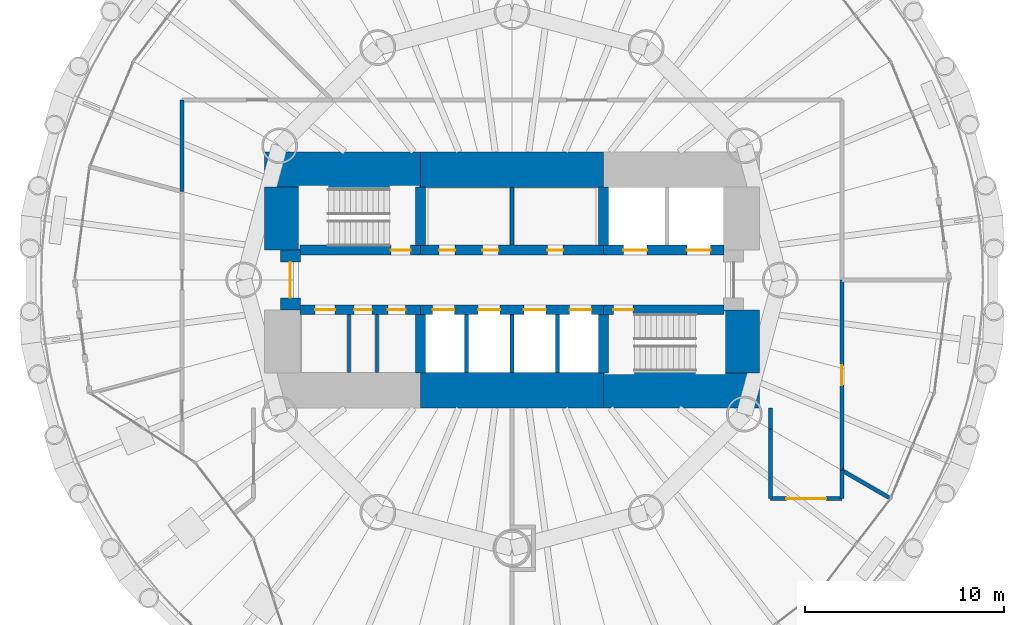
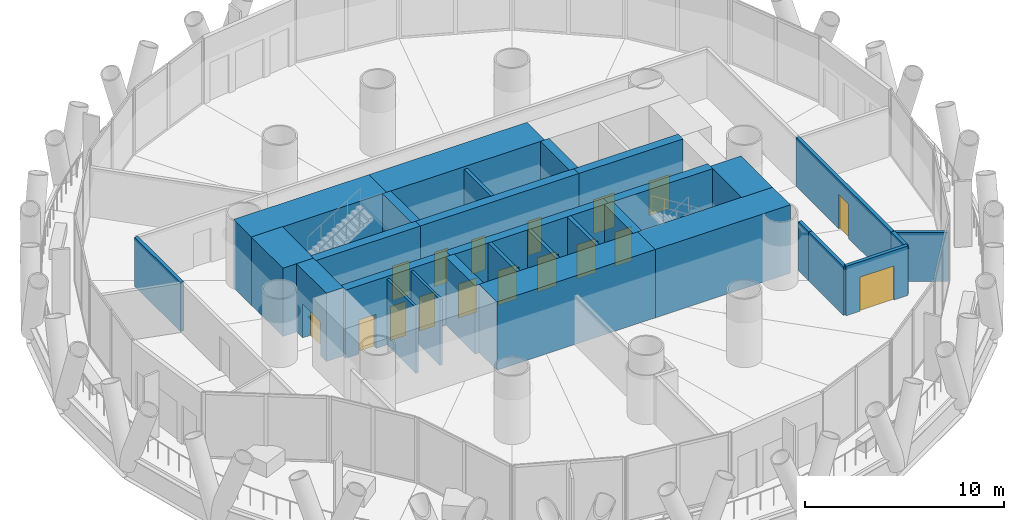
# One storey, part 9 of 14: 30 walls, 17 doors, 17 openings.
"""IFC4 building model written with IfcOpenShell, lengths in metres."""

from ifc_helpers import new_model, si_unit, direction, frame, frame_2d, origin, place, context, subcontext, project, spatial, rectangle, extrude, material, layer, layer_set, type_object, element, fill, save


model = new_model("IFC4")

# Units and contexts
model_context = context("Model", 3, precision=1e-05, world=origin(), true_north=direction((0.0, 1.0)))
body_context = subcontext(model_context, "Body", "Model", "MODEL_VIEW")
ifc_project = project(units=[si_unit("LENGTHUNIT", "METRE"), si_unit("AREAUNIT", "SQUARE_METRE"), si_unit("VOLUMEUNIT", "CUBIC_METRE"), si_unit("PLANEANGLEUNIT", "RADIAN"), si_unit("MASSUNIT", "GRAM", prefix="KILO")], contexts=[model_context])

# Site, building, storey
site_placement = place(None, origin())
site = spatial("IfcSite", under=ifc_project, at=site_placement, CompositionType="ELEMENT")
building_placement = place(site_placement, origin())
building = spatial("IfcBuilding", under=site, at=building_placement, Name="Qaws Media Tower", CompositionType="ELEMENT")
storey_placement = place(building_placement, frame((0.0, 0.0, 185.60009765625)))
storey = spatial("IfcBuildingStorey", under=building, at=storey_placement, Name="L42", CompositionType="ELEMENT", Elevation=185.60009765625)

# Wall, opening, door
ifc_material_1 = material(Name="Concrete C60/75", Category="concrete")
ifc_layer_1 = layer(ifc_material_1, 0.5)
ifc_layer_set_1 = layer_set([ifc_layer_1], Name="Core inner wall 500")
wall_type_1 = type_object("IfcWallType", Name="Core inner wall 500", PredefinedType="SHEAR", material=ifc_layer_set_1)
wall_1_placement = place(storey_placement, frame((49.330078125, 51.5, 0.0), z_axis=(0.0, 0.0, 1.0), x_axis=(1.0, 0.0, 0.0)))
wall_1 = element("IfcWall", 1, at=wall_1_placement, inside=storey, type_object=wall_type_1, Name="W339 SW12 core wall SPNW L42", PredefinedType="SHEAR", context=body_context, shape_type="SweptSolid", body=[
    extrude(rectangle(XDim=6.06982421875, YDim=0.5, at=frame_2d((3.034912109375, 0.0))), origin(), (0.0, 0.0, 1.0), 4.199951171875),
])
opening_1_placement = place(wall_1_placement, frame((4.570068359375, 0.0, 0.0)))
opening_1 = element("IfcOpeningElement", 2, at=opening_1_placement, cuts=wall_1, Name="Opening D1", PredefinedType="OPENING", context=body_context, shape_type="SweptSolid", body=[
    extrude(rectangle(XDim=1.0, YDim=2.10009765625, at=frame_2d((0.5, 1.050048828125))), frame((0.0, 0.260009765625, 0.0), z_axis=(0.0, -1.0, 0.0), x_axis=(1.0, 0.0, 0.0)), (0.0, 0.0, 1.0), 0.52001953125),
])
ifc_material_2 = material(Name="Steel, fire rated", Category="steel")
door_type_1 = type_object("IfcDoorType", Name="Stair door 1000 FD120", OperationType="SINGLE_SWING_LEFT", PredefinedType="DOOR", material=ifc_material_2)
door_1_placement = place(opening_1_placement, origin())
door_1 = element("IfcDoor", 3, at=door_1_placement, inside=storey, type_object=door_type_1, Name="D1 stair S1 door L42 in wall W339", OperationType="SINGLE_SWING_LEFT", OverallHeight=2.10009765625, OverallWidth=1.0, PredefinedType="DOOR", context=body_context, shape_type="SweptSolid", body=[
    extrude(rectangle(XDim=1.0, YDim=2.10009765625, at=frame_2d((0.5, 1.050048828125))), frame((0.0, 0.02490234375, 0.0), z_axis=(0.0, -1.0, 0.0), x_axis=(1.0, 0.0, 0.0)), (0.0, 0.0, 1.0), 0.050048828125),
])
fill(opening_1, door_1)

# Wall, openings, doors
wall_2_placement = place(storey_placement, frame((55.39990234375, 51.5, 0.0), z_axis=(0.0, 0.0, 1.0), x_axis=(1.0, 0.0, 0.0)))
wall_2 = element("IfcWall", 4, at=wall_2_placement, inside=storey, type_object=wall_type_1, Name="W332 SW12 core wall SPN L42", PredefinedType="SHEAR", context=body_context, shape_type="SweptSolid", body=[
    extrude(rectangle(XDim=9.2001953125, YDim=0.5, at=frame_2d((4.60009765625, 0.0))), origin(), (0.0, 0.0, 1.0), 4.199951171875),
])
opening_2_placement = place(wall_2_placement, frame((0.9375, 0.0, 0.0)))
opening_2 = element("IfcOpeningElement", 5, at=opening_2_placement, cuts=wall_2, Name="Opening D23", PredefinedType="OPENING", context=body_context, shape_type="SweptSolid", body=[
    extrude(rectangle(XDim=0.800048828125, YDim=2.10009765625, at=frame_2d((0.39990234375, 1.050048828125))), frame((0.0, 0.260009765625, 0.0), z_axis=(0.0, -1.0, 0.0), x_axis=(1.0, 0.0, 0.0)), (0.0, 0.0, 1.0), 0.52001953125),
])
opening_3_placement = place(wall_2_placement, frame((3.112548828125, 0.0, 0.0)))
opening_3 = element("IfcOpeningElement", 6, at=opening_3_placement, cuts=wall_2, Name="Opening D23", PredefinedType="OPENING", context=body_context, shape_type="SweptSolid", body=[
    extrude(rectangle(XDim=0.800048828125, YDim=2.10009765625, at=frame_2d((0.39990234375, 1.050048828125))), frame((0.0, 0.260009765625, 0.0), z_axis=(0.0, -1.0, 0.0), x_axis=(1.0, 0.0, 0.0)), (0.0, 0.0, 1.0), 0.52001953125),
])
opening_4_placement = place(wall_2_placement, frame((6.375, 0.0, 0.0)))
opening_4 = element("IfcOpeningElement", 7, at=opening_4_placement, cuts=wall_2, Name="Opening D23", PredefinedType="OPENING", context=body_context, shape_type="SweptSolid", body=[
    extrude(rectangle(XDim=0.800048828125, YDim=2.10009765625, at=frame_2d((0.39990234375, 1.050048828125))), frame((0.0, 0.260009765625, 0.0), z_axis=(0.0, -1.0, 0.0), x_axis=(1.0, 0.0, 0.0)), (0.0, 0.0, 1.0), 0.52001953125),
])
ifc_material_3 = material(Name="Steel, fire rated", Category="steel")
door_type_2 = type_object("IfcDoorType", Name="Core room door 800x2100", OperationType="SINGLE_SWING_LEFT", PredefinedType="DOOR", material=ifc_material_3)
door_2_placement = place(opening_2_placement, origin())
door_2 = element("IfcDoor", 8, at=door_2_placement, inside=storey, type_object=door_type_2, Name="D23 Ladies toilets door L42 1 in wall W332", OperationType="SINGLE_SWING_LEFT", OverallHeight=2.10009765625, OverallWidth=0.800048828125, PredefinedType="DOOR", context=body_context, shape_type="SweptSolid", body=[
    extrude(rectangle(XDim=0.800048828125, YDim=2.10009765625, at=frame_2d((0.39990234375, 1.050048828125))), frame((0.0, 0.02490234375, 0.0), z_axis=(0.0, -1.0, 0.0), x_axis=(1.0, 0.0, 0.0)), (0.0, 0.0, 1.0), 0.050048828125),
])
fill(opening_2, door_2)
door_3_placement = place(opening_3_placement, origin())
door_3 = element("IfcDoor", 9, at=door_3_placement, inside=storey, type_object=door_type_2, Name="D23 Ladies toilets door L42 2 in wall W332", OperationType="SINGLE_SWING_LEFT", OverallHeight=2.10009765625, OverallWidth=0.800048828125, PredefinedType="DOOR", context=body_context, shape_type="SweptSolid", body=[
    extrude(rectangle(XDim=0.800048828125, YDim=2.10009765625, at=frame_2d((0.39990234375, 1.050048828125))), frame((0.0, 0.02490234375, 0.0), z_axis=(0.0, -1.0, 0.0), x_axis=(1.0, 0.0, 0.0)), (0.0, 0.0, 1.0), 0.050048828125),
])
fill(opening_3, door_3)
door_4_placement = place(opening_4_placement, origin())
door_4 = element("IfcDoor", 10, at=door_4_placement, inside=storey, type_object=door_type_2, Name="D23 Gents toilets door L42 in wall W332", OperationType="SINGLE_SWING_LEFT", OverallHeight=2.10009765625, OverallWidth=0.800048828125, PredefinedType="DOOR", context=body_context, shape_type="SweptSolid", body=[
    extrude(rectangle(XDim=0.800048828125, YDim=2.10009765625, at=frame_2d((0.39990234375, 1.050048828125))), frame((0.0, 0.02490234375, 0.0), z_axis=(0.0, -1.0, 0.0), x_axis=(1.0, 0.0, 0.0)), (0.0, 0.0, 1.0), 0.050048828125),
])
fill(opening_4, door_4)

wall_3_placement = place(storey_placement, frame((64.60009765625, 51.5, 0.0), z_axis=(0.0, 0.0, 1.0), x_axis=(1.0, 0.0, 0.0)))
wall_3 = element("IfcWall", 11, at=wall_3_placement, inside=storey, type_object=wall_type_1, Name="W344 SW12 core wall SPNE L42", PredefinedType="SHEAR", context=body_context, shape_type="SweptSolid", body=[
    extrude(rectangle(XDim=6.06982421875, YDim=0.5, at=frame_2d((3.034912109375, 0.0))), origin(), (0.0, 0.0, 1.0), 4.199951171875),
])
opening_5_placement = place(wall_3_placement, frame((1.0, 0.0, 0.0)))
opening_5 = element("IfcOpeningElement", 12, at=opening_5_placement, cuts=wall_3, Name="Opening LD2", PredefinedType="OPENING", context=body_context, shape_type="SweptSolid", body=[
    extrude(rectangle(XDim=1.199951171875, YDim=2.10009765625, at=frame_2d((0.60009765625, 1.050048828125))), frame((0.0, 0.260009765625, 0.0), z_axis=(0.0, -1.0, 0.0), x_axis=(1.0, 0.0, 0.0)), (0.0, 0.0, 1.0), 0.52001953125),
])
opening_6_placement = place(wall_3_placement, frame((4.199951171875, 0.0, 0.0)))
opening_6 = element("IfcOpeningElement", 13, at=opening_6_placement, cuts=wall_3, Name="Opening LD2", PredefinedType="OPENING", context=body_context, shape_type="SweptSolid", body=[
    extrude(rectangle(XDim=1.199951171875, YDim=2.10009765625, at=frame_2d((0.60009765625, 1.050048828125))), frame((0.0, 0.260009765625, 0.0), z_axis=(0.0, -1.0, 0.0), x_axis=(1.0, 0.0, 0.0)), (0.0, 0.0, 1.0), 0.52001953125),
])
ifc_material_4 = material(Name="Steel, fire rated", Category="steel")
door_type_3 = type_object("IfcDoorType", Name="Lift landing door 1200", OperationType="SLIDING_TO_LEFT", PredefinedType="DOOR", material=ifc_material_4)
door_5_placement = place(opening_5_placement, origin())
door_5 = element("IfcDoor", 14, at=door_5_placement, inside=storey, type_object=door_type_3, Name="FL1 landing door L42 in wall W344", OperationType="SLIDING_TO_LEFT", OverallHeight=2.10009765625, OverallWidth=1.199951171875, PredefinedType="DOOR", context=body_context, shape_type="SweptSolid", body=[
    extrude(rectangle(XDim=1.199951171875, YDim=2.10009765625, at=frame_2d((0.60009765625, 1.050048828125))), frame((0.0, 0.02490234375, 0.0), z_axis=(0.0, -1.0, 0.0), x_axis=(1.0, 0.0, 0.0)), (0.0, 0.0, 1.0), 0.050048828125),
])
fill(opening_5, door_5)
door_6_placement = place(opening_6_placement, origin())
door_6 = element("IfcDoor", 15, at=door_6_placement, inside=storey, type_object=door_type_3, Name="FL2 landing door L42 in wall W344", OperationType="SLIDING_TO_LEFT", OverallHeight=2.10009765625, OverallWidth=1.199951171875, PredefinedType="DOOR", context=body_context, shape_type="SweptSolid", body=[
    extrude(rectangle(XDim=1.199951171875, YDim=2.10009765625, at=frame_2d((0.60009765625, 1.050048828125))), frame((0.0, 0.02490234375, 0.0), z_axis=(0.0, -1.0, 0.0), x_axis=(1.0, 0.0, 0.0)), (0.0, 0.0, 1.0), 0.050048828125),
])
fill(opening_6, door_6)

wall_4_placement = place(storey_placement, frame((49.330078125, 48.5, 0.0), z_axis=(0.0, 0.0, 1.0), x_axis=(1.0, 0.0, 0.0)))
wall_4 = element("IfcWall", 16, at=wall_4_placement, inside=storey, type_object=wall_type_1, Name="W338 SW12 core wall SPSW L42", PredefinedType="SHEAR", context=body_context, shape_type="SweptSolid", body=[
    extrude(rectangle(XDim=6.06982421875, YDim=0.5, at=frame_2d((3.034912109375, 0.0))), origin(), (0.0, 0.0, 1.0), 4.199951171875),
])
opening_7_placement = place(wall_4_placement, frame((0.77001953125, 0.0, 0.0)))
opening_7 = element("IfcOpeningElement", 17, at=opening_7_placement, cuts=wall_4, Name="Opening D4", PredefinedType="OPENING", context=body_context, shape_type="SweptSolid", body=[
    extrude(rectangle(XDim=1.0, YDim=2.10009765625, at=frame_2d((0.5, 1.050048828125))), frame((0.0, 0.260009765625, 0.0), z_axis=(0.0, -1.0, 0.0), x_axis=(1.0, 0.0, 0.0)), (0.0, 0.0, 1.0), 0.52001953125),
])
opening_8_placement = place(wall_4_placement, frame((2.719970703125, 0.0, 0.0)))
opening_8 = element("IfcOpeningElement", 18, at=opening_8_placement, cuts=wall_4, Name="Opening D25", PredefinedType="OPENING", context=body_context, shape_type="SweptSolid", body=[
    extrude(rectangle(XDim=0.89990234375, YDim=2.10009765625, at=frame_2d((0.449951171875, 1.050048828125))), frame((0.0, 0.260009765625, 0.0), z_axis=(0.0, -1.0, 0.0), x_axis=(1.0, 0.0, 0.0)), (0.0, 0.0, 1.0), 0.52001953125),
])
opening_9_placement = place(wall_4_placement, frame((4.419921875, 0.0, 0.0)))
opening_9 = element("IfcOpeningElement", 19, at=opening_9_placement, cuts=wall_4, Name="Opening D25", PredefinedType="OPENING", context=body_context, shape_type="SweptSolid", body=[
    extrude(rectangle(XDim=0.89990234375, YDim=2.10009765625, at=frame_2d((0.449951171875, 1.050048828125))), frame((0.0, 0.260009765625, 0.0), z_axis=(0.0, -1.0, 0.0), x_axis=(1.0, 0.0, 0.0)), (0.0, 0.0, 1.0), 0.52001953125),
])
ifc_material_5 = material(Name="Timber veneered", Category="wood")
door_type_4 = type_object("IfcDoorType", Name="Accessible WC door 1000", OperationType="SLIDING_TO_LEFT", PredefinedType="DOOR", material=ifc_material_5)
door_7_placement = place(opening_7_placement, origin())
door_7 = element("IfcDoor", 20, at=door_7_placement, inside=storey, type_object=door_type_4, Name="D4 toilet door 1 L42 in wall W338", OperationType="SLIDING_TO_LEFT", OverallHeight=2.10009765625, OverallWidth=1.0, PredefinedType="DOOR", context=body_context, shape_type="SweptSolid", body=[
    extrude(rectangle(XDim=1.0, YDim=2.10009765625, at=frame_2d((0.5, 1.050048828125))), frame((0.0, 0.02490234375, 0.0), z_axis=(0.0, -1.0, 0.0), x_axis=(1.0, 0.0, 0.0)), (0.0, 0.0, 1.0), 0.050048828125),
])
fill(opening_7, door_7)
ifc_material_6 = material(Name="Steel, fire rated", Category="steel")
door_type_5 = type_object("IfcDoorType", Name="Core service door 900", OperationType="SINGLE_SWING_RIGHT", PredefinedType="DOOR", material=ifc_material_6)
door_8_placement = place(opening_8_placement, origin())
door_8 = element("IfcDoor", 21, at=door_8_placement, inside=storey, type_object=door_type_5, Name="D25 toilet door 2 L42 in wall W338", OperationType="SINGLE_SWING_RIGHT", OverallHeight=2.10009765625, OverallWidth=0.89990234375, PredefinedType="DOOR", context=body_context, shape_type="SweptSolid", body=[
    extrude(rectangle(XDim=0.89990234375, YDim=2.10009765625, at=frame_2d((0.449951171875, 1.050048828125))), frame((0.0, 0.02490234375, 0.0), z_axis=(0.0, -1.0, 0.0), x_axis=(1.0, 0.0, 0.0)), (0.0, 0.0, 1.0), 0.050048828125),
])
fill(opening_8, door_8)
door_9_placement = place(opening_9_placement, origin())
door_9 = element("IfcDoor", 22, at=door_9_placement, inside=storey, type_object=door_type_5, Name="D25 toilet door 3 L42 in wall W338", OperationType="SINGLE_SWING_RIGHT", OverallHeight=2.10009765625, OverallWidth=0.89990234375, PredefinedType="DOOR", context=body_context, shape_type="SweptSolid", body=[
    extrude(rectangle(XDim=0.89990234375, YDim=2.10009765625, at=frame_2d((0.449951171875, 1.050048828125))), frame((0.0, 0.02490234375, 0.0), z_axis=(0.0, -1.0, 0.0), x_axis=(1.0, 0.0, 0.0)), (0.0, 0.0, 1.0), 0.050048828125),
])
fill(opening_9, door_9)

wall_5_placement = place(storey_placement, frame((55.39990234375, 48.5, 0.0), z_axis=(0.0, 0.0, 1.0), x_axis=(1.0, 0.0, 0.0)))
wall_5 = element("IfcWall", 23, at=wall_5_placement, inside=storey, type_object=wall_type_1, Name="W331 SW12 core wall SPS L42", PredefinedType="SHEAR", context=body_context, shape_type="SweptSolid", body=[
    extrude(rectangle(XDim=9.2001953125, YDim=0.5, at=frame_2d((4.60009765625, 0.0))), origin(), (0.0, 0.0, 1.0), 4.199951171875),
])
opening_10_placement = place(wall_5_placement, frame((0.60009765625, 0.0, 0.0)))
opening_10 = element("IfcOpeningElement", 24, at=opening_10_placement, cuts=wall_5, Name="Opening LD", PredefinedType="OPENING", context=body_context, shape_type="SweptSolid", body=[
    extrude(rectangle(XDim=1.10009765625, YDim=2.10009765625, at=frame_2d((0.550048828125, 1.050048828125))), frame((0.0, 0.260009765625, 0.0), z_axis=(0.0, -1.0, 0.0), x_axis=(1.0, 0.0, 0.0)), (0.0, 0.0, 1.0), 0.52001953125),
])
opening_11_placement = place(wall_5_placement, frame((2.89990234375, 0.0, 0.0)))
opening_11 = element("IfcOpeningElement", 25, at=opening_11_placement, cuts=wall_5, Name="Opening LD", PredefinedType="OPENING", context=body_context, shape_type="SweptSolid", body=[
    extrude(rectangle(XDim=1.10009765625, YDim=2.10009765625, at=frame_2d((0.550048828125, 1.050048828125))), frame((0.0, 0.260009765625, 0.0), z_axis=(0.0, -1.0, 0.0), x_axis=(1.0, 0.0, 0.0)), (0.0, 0.0, 1.0), 0.52001953125),
])
opening_12_placement = place(wall_5_placement, frame((5.199951171875, 0.0, 0.0)))
opening_12 = element("IfcOpeningElement", 26, at=opening_12_placement, cuts=wall_5, Name="Opening LD", PredefinedType="OPENING", context=body_context, shape_type="SweptSolid", body=[
    extrude(rectangle(XDim=1.10009765625, YDim=2.10009765625, at=frame_2d((0.550048828125, 1.050048828125))), frame((0.0, 0.260009765625, 0.0), z_axis=(0.0, -1.0, 0.0), x_axis=(1.0, 0.0, 0.0)), (0.0, 0.0, 1.0), 0.52001953125),
])
opening_13_placement = place(wall_5_placement, frame((7.5, 0.0, 0.0)))
opening_13 = element("IfcOpeningElement", 27, at=opening_13_placement, cuts=wall_5, Name="Opening LD", PredefinedType="OPENING", context=body_context, shape_type="SweptSolid", body=[
    extrude(rectangle(XDim=1.10009765625, YDim=2.10009765625, at=frame_2d((0.550048828125, 1.050048828125))), frame((0.0, 0.260009765625, 0.0), z_axis=(0.0, -1.0, 0.0), x_axis=(1.0, 0.0, 0.0)), (0.0, 0.0, 1.0), 0.52001953125),
])
ifc_material_7 = material(Name="Steel, fire rated", Category="steel")
door_type_6 = type_object("IfcDoorType", Name="Lift landing door 1100", OperationType="SLIDING_TO_LEFT", PredefinedType="DOOR", material=ifc_material_7)
door_10_placement = place(opening_10_placement, origin())
door_10 = element("IfcDoor", 28, at=door_10_placement, inside=storey, type_object=door_type_6, Name="P5 landing door L42 in wall W331", OperationType="SLIDING_TO_LEFT", OverallHeight=2.10009765625, OverallWidth=1.10009765625, PredefinedType="DOOR", context=body_context, shape_type="SweptSolid", body=[
    extrude(rectangle(XDim=1.10009765625, YDim=2.10009765625, at=frame_2d((0.550048828125, 1.050048828125))), frame((0.0, 0.02490234375, 0.0), z_axis=(0.0, -1.0, 0.0), x_axis=(1.0, 0.0, 0.0)), (0.0, 0.0, 1.0), 0.050048828125),
])
fill(opening_10, door_10)
door_11_placement = place(opening_11_placement, origin())
door_11 = element("IfcDoor", 29, at=door_11_placement, inside=storey, type_object=door_type_6, Name="P6 landing door L42 in wall W331", OperationType="SLIDING_TO_LEFT", OverallHeight=2.10009765625, OverallWidth=1.10009765625, PredefinedType="DOOR", context=body_context, shape_type="SweptSolid", body=[
    extrude(rectangle(XDim=1.10009765625, YDim=2.10009765625, at=frame_2d((0.550048828125, 1.050048828125))), frame((0.0, 0.02490234375, 0.0), z_axis=(0.0, -1.0, 0.0), x_axis=(1.0, 0.0, 0.0)), (0.0, 0.0, 1.0), 0.050048828125),
])
fill(opening_11, door_11)
door_12_placement = place(opening_12_placement, origin())
door_12 = element("IfcDoor", 30, at=door_12_placement, inside=storey, type_object=door_type_6, Name="P7 landing door L42 in wall W331", OperationType="SLIDING_TO_LEFT", OverallHeight=2.10009765625, OverallWidth=1.10009765625, PredefinedType="DOOR", context=body_context, shape_type="SweptSolid", body=[
    extrude(rectangle(XDim=1.10009765625, YDim=2.10009765625, at=frame_2d((0.550048828125, 1.050048828125))), frame((0.0, 0.02490234375, 0.0), z_axis=(0.0, -1.0, 0.0), x_axis=(1.0, 0.0, 0.0)), (0.0, 0.0, 1.0), 0.050048828125),
])
fill(opening_12, door_12)
door_13_placement = place(opening_13_placement, origin())
door_13 = element("IfcDoor", 31, at=door_13_placement, inside=storey, type_object=door_type_6, Name="P8 landing door L42 in wall W331", OperationType="SLIDING_TO_LEFT", OverallHeight=2.10009765625, OverallWidth=1.10009765625, PredefinedType="DOOR", context=body_context, shape_type="SweptSolid", body=[
    extrude(rectangle(XDim=1.10009765625, YDim=2.10009765625, at=frame_2d((0.550048828125, 1.050048828125))), frame((0.0, 0.02490234375, 0.0), z_axis=(0.0, -1.0, 0.0), x_axis=(1.0, 0.0, 0.0)), (0.0, 0.0, 1.0), 0.050048828125),
])
fill(opening_13, door_13)

# Wall, opening, door
wall_6_placement = place(storey_placement, frame((64.60009765625, 48.5, 0.0), z_axis=(0.0, 0.0, 1.0), x_axis=(1.0, 0.0, 0.0)))
wall_6 = element("IfcWall", 32, at=wall_6_placement, inside=storey, type_object=wall_type_1, Name="W343 SW12 core wall SPSE L42", PredefinedType="SHEAR", context=body_context, shape_type="SweptSolid", body=[
    extrude(rectangle(XDim=6.06982421875, YDim=0.5, at=frame_2d((3.034912109375, 0.0))), origin(), (0.0, 0.0, 1.0), 4.199951171875),
])
opening_14_placement = place(wall_6_placement, frame((0.5, 0.0, 0.0)))
opening_14 = element("IfcOpeningElement", 33, at=opening_14_placement, cuts=wall_6, Name="Opening D1", PredefinedType="OPENING", context=body_context, shape_type="SweptSolid", body=[
    extrude(rectangle(XDim=1.0, YDim=2.10009765625, at=frame_2d((0.5, 1.050048828125))), frame((0.0, 0.260009765625, 0.0), z_axis=(0.0, -1.0, 0.0), x_axis=(1.0, 0.0, 0.0)), (0.0, 0.0, 1.0), 0.52001953125),
])
door_14_placement = place(opening_14_placement, origin())
door_14 = element("IfcDoor", 34, at=door_14_placement, inside=storey, type_object=door_type_1, Name="D1 stair S2 door L42 in wall W343", OperationType="SINGLE_SWING_LEFT", OverallHeight=2.10009765625, OverallWidth=1.0, PredefinedType="DOOR", context=body_context, shape_type="SweptSolid", body=[
    extrude(rectangle(XDim=1.0, YDim=2.10009765625, at=frame_2d((0.5, 1.050048828125))), frame((0.0, 0.02490234375, 0.0), z_axis=(0.0, -1.0, 0.0), x_axis=(1.0, 0.0, 0.0)), (0.0, 0.0, 1.0), 0.050048828125),
])
fill(opening_14, door_14)

# Walls
for number, where, z_axis, x_axis, name in (
    (35, (55.39990234375, 51.72998046875, 0.0), (0.0, 0.0, 1.0), (0.0, 1.0, 0.0), "W341 SW12 core wall XNW L42"),
    (36, (64.60009765625, 51.72998046875, 0.0), (0.0, 0.0, 1.0), (0.0, 1.0, 0.0), "W345 SW12 core wall XNE L42"),
    (37, (55.39990234375, 48.27001953125, 0.0), (0.0, 0.0, 1.0), (0.0, -1.0, 0.0), "W340 SW12 core wall XSW L42"),
    (38, (64.60009765625, 48.27001953125, 0.0), (0.0, 0.0, 1.0), (0.0, -1.0, 0.0), "W342 SW12 core wall XSE L42"),
):
    element("IfcWall", number, at=place(storey_placement, frame(where, z_axis=z_axis, x_axis=x_axis)), inside=storey, type_object=wall_type_1, Name=name, PredefinedType="SHEAR", context=body_context, shape_type="SweptSolid", body=[
        extrude(rectangle(XDim=2.93994140625, YDim=0.5, at=frame_2d((1.469970703125, 0.0))), origin(), (0.0, 0.0, 1.0), 4.199951171875),
    ])

# Wall, opening, door
ifc_material_8 = material(Name="Concrete C60/75", Category="concrete")
ifc_layer_2 = layer(ifc_material_8, 1.0)
ifc_layer_set_2 = layer_set([ifc_layer_2], Name="Core wall 1000")
wall_type_2 = type_object("IfcWallType", Name="Core wall 1000", PredefinedType="SHEAR", material=ifc_layer_set_2)
wall_7_placement = place(storey_placement, frame((48.85009765625, 48.5, 0.0), z_axis=(0.0, 0.0, 1.0), x_axis=(0.0, 1.0, 0.0)))
wall_7 = element("IfcWall", 39, at=wall_7_placement, inside=storey, type_object=wall_type_2, Name="W366 SW8 core wall W L42", PredefinedType="SHEAR", context=body_context, shape_type="SweptSolid", body=[
    extrude(rectangle(XDim=3.0, YDim=1.0, at=frame_2d((1.5, 0.0))), origin(), (0.0, 0.0, 1.0), 4.199951171875),
])
opening_15_placement = place(wall_7_placement, frame((0.60009765625, 0.0, 0.0)))
opening_15 = element("IfcOpeningElement", 40, at=opening_15_placement, cuts=wall_7, Name="Opening D2", PredefinedType="OPENING", context=body_context, shape_type="SweptSolid", body=[
    extrude(rectangle(XDim=1.800048828125, YDim=2.10009765625, at=frame_2d((0.89990234375, 1.050048828125))), frame((0.0, 0.510009765625, 0.0), z_axis=(0.0, -1.0, 0.0), x_axis=(1.0, 0.0, 0.0)), (0.0, 0.0, 1.0), 1.02001953125),
])
ifc_material_9 = material(Name="Steel and glass, fire rated", Category="steel")
door_type_7 = type_object("IfcDoorType", Name="Lobby door pair 1800 FD60", OperationType="DOUBLE_DOOR_DOUBLE_SWING", PredefinedType="DOOR", material=ifc_material_9)
door_15_placement = place(opening_15_placement, origin())
door_15 = element("IfcDoor", 41, at=door_15_placement, inside=storey, type_object=door_type_7, Name="D2 core lobby door W L42 in wall W366", OperationType="DOUBLE_DOOR_DOUBLE_SWING", OverallHeight=2.10009765625, OverallWidth=1.800048828125, PredefinedType="DOOR", context=body_context, shape_type="SweptSolid", body=[
    extrude(rectangle(XDim=1.800048828125, YDim=2.10009765625, at=frame_2d((0.89990234375, 1.050048828125))), frame((0.0, 0.02490234375, 0.0), z_axis=(0.0, -1.0, 0.0), x_axis=(1.0, 0.0, 0.0)), (0.0, 0.0, 1.0), 0.050048828125),
])
fill(opening_15, door_15)

# Walls
ifc_material_10 = material(Name="Concrete C60/75", Category="concrete")
ifc_layer_3 = layer(ifc_material_10, 1.800048828125)
ifc_layer_set_3 = layer_set([ifc_layer_3], Name="Core wall 1800")
wall_type_3 = type_object("IfcWallType", Name="Core wall 1800", PredefinedType="SHEAR", material=ifc_layer_set_3)
wall_8_placement = place(storey_placement, frame((47.550048828125, 55.550048828125, 0.0), z_axis=(0.0, 0.0, 1.0), x_axis=(1.0, 0.0, 0.0)))
element("IfcWall", 42, at=wall_8_placement, inside=storey, type_object=wall_type_3, Name="W417 SW11 core wall NW L42", PredefinedType="SHEAR", context=body_context, shape_type="SweptSolid", body=[
    extrude(rectangle(XDim=7.849853515625, YDim=1.800048828125, at=frame_2d((3.9248046875, 0.0))), origin(), (0.0, 0.0, 1.0), 4.199951171875),
])
for number, where, z_axis, x_axis, name in (
    (43, (55.39990234375, 55.550048828125, 0.0), (0.0, 0.0, 1.0), (1.0, 0.0, 0.0), "W421 SW11 core wall N L42"),
    (44, (55.39990234375, 44.449951171875, 0.0), (0.0, 0.0, 1.0), (1.0, 0.0, 0.0), "W420 SW11 core wall S L42"),
):
    element("IfcWall", number, at=place(storey_placement, frame(where, z_axis=z_axis, x_axis=x_axis)), inside=storey, type_object=wall_type_3, Name=name, PredefinedType="SHEAR", context=body_context, shape_type="SweptSolid", body=[
        extrude(rectangle(XDim=9.2001953125, YDim=1.800048828125, at=frame_2d((4.60009765625, 0.0))), origin(), (0.0, 0.0, 1.0), 4.199951171875),
    ])
wall_9_placement = place(storey_placement, frame((64.60009765625, 44.449951171875, 0.0), z_axis=(0.0, 0.0, 1.0), x_axis=(1.0, 0.0, 0.0)))
element("IfcWall", 45, at=wall_9_placement, inside=storey, type_object=wall_type_3, Name="W422 SW11 core wall SE L42", PredefinedType="SHEAR", context=body_context, shape_type="SweptSolid", body=[
    extrude(rectangle(XDim=7.849853515625, YDim=1.800048828125, at=frame_2d((3.9248046875, 0.0))), origin(), (0.0, 0.0, 1.0), 4.199951171875),
])
for number, where, z_axis, x_axis, name in (
    (46, (71.550048828125, 45.330078125, 0.0), (0.0, 0.0, 1.0), (0.0, 1.0, 0.0), "W424 SW11 core wall ES L42"),
    (47, (48.449951171875, 51.5, 0.0), (0.0, 0.0, 1.0), (0.0, 1.0, 0.0), "W419 SW11 core wall WN L42"),
):
    element("IfcWall", number, at=place(storey_placement, frame(where, z_axis=z_axis, x_axis=x_axis)), inside=storey, type_object=wall_type_3, Name=name, PredefinedType="SHEAR", context=body_context, shape_type="SweptSolid", body=[
        extrude(rectangle(XDim=3.169921875, YDim=1.800048828125, at=frame_2d((1.5849609375, 0.0))), origin(), (0.0, 0.0, 1.0), 4.199951171875),
    ])

# Wall, opening, door
ifc_material_11 = material(Name="Gypsum board on galvanised metal studs, acoustic double stud, deflection head", Category="gypsum")
ifc_layer_4 = layer(ifc_material_11, 0.199951171875)
ifc_layer_set_4 = layer_set([ifc_layer_4], Name="Room partition 200")
wall_type_4 = type_object("IfcWallType", Name="Room partition 200", PredefinedType="PARTITIONING", material=ifc_layer_set_4)
wall_10_placement = place(storey_placement, frame((76.60009765625, 50.0, 0.0), z_axis=(0.0, 0.0, 1.0), x_axis=(0.0, -1.0, 0.0)))
wall_10 = element("IfcWall", 48, at=wall_10_placement, inside=storey, type_object=wall_type_4, Name="W1401 IW3 partition L42", PredefinedType="PARTITIONING", context=body_context, shape_type="SweptSolid", body=[
    extrude(rectangle(XDim=9.583984375, YDim=0.199951171875, at=frame_2d((4.7919921875, 0.0))), origin(), (0.0, 0.0, 1.0), 3.011962890625),
])
opening_16_placement = place(wall_10_placement, frame((4.2919921875, 0.0, 0.0)))
opening_16 = element("IfcOpeningElement", 49, at=opening_16_placement, cuts=wall_10, Name="Opening D5", PredefinedType="OPENING", context=body_context, shape_type="SweptSolid", body=[
    extrude(rectangle(XDim=1.0, YDim=2.10009765625, at=frame_2d((0.5, 1.050048828125))), frame((0.0, 0.10986328125, 0.0), z_axis=(0.0, -1.0, 0.0), x_axis=(1.0, 0.0, 0.0)), (0.0, 0.0, 1.0), 0.219970703125),
])
ifc_material_12 = material(Name="Timber veneered, acoustic seal", Category="wood")
door_type_8 = type_object("IfcDoorType", Name="Room door 1000", OperationType="SINGLE_SWING_LEFT", PredefinedType="DOOR", material=ifc_material_12)
door_16_placement = place(opening_16_placement, origin())
door_16 = element("IfcDoor", 50, at=door_16_placement, inside=storey, type_object=door_type_8, Name="D5 Content studio door L42 in wall W1401", OperationType="SINGLE_SWING_LEFT", OverallHeight=2.10009765625, OverallWidth=1.0, PredefinedType="DOOR", context=body_context, shape_type="SweptSolid", body=[
    extrude(rectangle(XDim=1.0, YDim=2.10009765625, at=frame_2d((0.5, 1.050048828125))), frame((0.0, 0.02490234375, 0.0), z_axis=(0.0, -1.0, 0.0), x_axis=(1.0, 0.0, 0.0)), (0.0, 0.0, 1.0), 0.050048828125),
])
fill(opening_16, door_16)

# Wall
wall_11_placement = place(storey_placement, frame((76.60009765625, 40.416015625, 0.0), z_axis=(0.0, 0.0, 1.0), x_axis=(0.0, -1.0, 0.0)))
element("IfcWall", 51, at=wall_11_placement, inside=storey, type_object=wall_type_4, Name="W1400 IW3 partition L42", PredefinedType="PARTITIONING", context=body_context, shape_type="SweptSolid", body=[
    extrude(rectangle(XDim=1.416015625, YDim=0.199951171875, at=frame_2d((0.7080078125, 0.0))), origin(), (0.0, 0.0, 1.0), 3.011962890625),
])

# Wall, opening, door
wall_12_placement = place(storey_placement, frame((76.60009765625, 39.0, 0.0), z_axis=(0.0, 0.0, 1.0), x_axis=(-1.0, 0.0, 0.0)))
wall_12 = element("IfcWall", 52, at=wall_12_placement, inside=storey, type_object=wall_type_4, Name="W1262 IW3 partition L42", PredefinedType="PARTITIONING", context=body_context, shape_type="SweptSolid", body=[
    extrude(rectangle(XDim=3.60009765625, YDim=0.199951171875, at=frame_2d((1.800048828125, 0.0))), origin(), (0.0, 0.0, 1.0), 3.039794921875),
])
opening_17_placement = place(wall_12_placement, frame((0.800048828125, 0.0, 0.0)))
opening_17 = element("IfcOpeningElement", 53, at=opening_17_placement, cuts=wall_12, Name="Opening D6", PredefinedType="OPENING", context=body_context, shape_type="SweptSolid", body=[
    extrude(rectangle(XDim=2.0, YDim=2.10009765625, at=frame_2d((1.0, 1.050048828125))), frame((0.0, 0.10986328125, 0.0), z_axis=(0.0, -1.0, 0.0), x_axis=(1.0, 0.0, 0.0)), (0.0, 0.0, 1.0), 0.219970703125),
])
ifc_material_13 = material(Name="Steel, acoustic, fire rated", Category="steel")
door_type_9 = type_object("IfcDoorType", Name="Room door pair 2000", OperationType="DOUBLE_DOOR_DOUBLE_SWING", PredefinedType="DOOR", material=ifc_material_13)
door_17_placement = place(opening_17_placement, origin())
door_17 = element("IfcDoor", 54, at=door_17_placement, inside=storey, type_object=door_type_9, Name="D6 Content studio door L42 in wall W1262", OperationType="DOUBLE_DOOR_DOUBLE_SWING", OverallHeight=2.10009765625, OverallWidth=2.0, PredefinedType="DOOR", context=body_context, shape_type="SweptSolid", body=[
    extrude(rectangle(XDim=2.0, YDim=2.10009765625, at=frame_2d((1.0, 1.050048828125))), frame((0.0, 0.02490234375, 0.0), z_axis=(0.0, -1.0, 0.0), x_axis=(1.0, 0.0, 0.0)), (0.0, 0.0, 1.0), 0.050048828125),
])
fill(opening_17, door_17)

# Walls
wall_13_placement = place(storey_placement, frame((73.0, 39.0, 0.0), z_axis=(0.0, 0.0, 1.0), x_axis=(0.0, 1.0, 0.0)))
element("IfcWall", 55, at=wall_13_placement, inside=storey, type_object=wall_type_4, Name="W1371 IW3 partition L42", PredefinedType="PARTITIONING", context=body_context, shape_type="SweptSolid", body=[
    extrude(rectangle(XDim=3.494384765625, YDim=0.199951171875, at=frame_2d((1.7470703125, 0.0))), origin(), (0.0, 0.0, 1.0), 3.011962890625),
])
wall_14_placement = place(storey_placement, frame((73.0, 42.494384765625, 0.0), z_axis=(0.0, 0.0, 1.0), x_axis=(0.0, 1.0, 0.0)))
element("IfcWall", 56, at=wall_14_placement, inside=storey, type_object=wall_type_4, Name="W1372 IW3 partition L42", PredefinedType="PARTITIONING", context=body_context, shape_type="SweptSolid", body=[
    extrude(rectangle(XDim=1.0556640625, YDim=0.199951171875, at=frame_2d((0.52783203125, 0.0))), origin(), (0.0, 0.0, 1.0), 3.011962890625),
])
wall_15_placement = place(storey_placement, frame((43.39990234375, 54.447998046875, 0.0), z_axis=(0.0, 0.0, 1.0), x_axis=(0.0, 1.0, 0.0)))
element("IfcWall", 57, at=wall_15_placement, inside=storey, type_object=wall_type_4, Name="W1406 IW3 partition L42", PredefinedType="PARTITIONING", context=body_context, shape_type="SweptSolid", body=[
    extrude(rectangle(XDim=4.60205078125, YDim=0.199951171875, at=frame_2d((2.301025390625, 0.0))), origin(), (0.0, 0.0, 1.0), 3.011962890625),
])
wall_16_placement = place(storey_placement, frame((76.593017578125, 40.419921875, 0.0), z_axis=(0.0, 0.0, 1.0), x_axis=(0.866034573852, -0.49998411664, 0.0)))
element("IfcWall", 58, at=wall_16_placement, inside=storey, type_object=wall_type_4, Name="W1438 IW3 partition L42", PredefinedType="PARTITIONING", context=body_context, shape_type="SweptSolid", body=[
    extrude(rectangle(XDim=2.7998046875, YDim=0.199951171875, at=frame_2d((1.39990234375, 0.0))), origin(), (0.0, 0.0, 1.0), 3.011962890625),
])
wall_17_placement = place(storey_placement, frame((60.0, 51.75, 0.0), z_axis=(0.0, 0.0, 1.0), x_axis=(0.0, 1.0, 0.0)))
element("IfcWall", 59, at=wall_17_placement, inside=storey, type_object=wall_type_4, Name="W1436 IW3 core room partition 1 L42", PredefinedType="PARTITIONING", context=body_context, shape_type="SweptSolid", body=[
    extrude(rectangle(XDim=2.89990234375, YDim=0.199951171875, at=frame_2d((1.449951171875, 0.0))), origin(), (0.0, 0.0, 1.0), 4.039794921875),
])
ifc_material_14 = material(Name="Fire-rated gypsum board shaft wall on galvanised metal studs, deflection head", Category="gypsum")
ifc_layer_5 = layer(ifc_material_14, 0.199951171875)
ifc_layer_set_5 = layer_set([ifc_layer_5], Name="Shaft wall 200")
wall_type_5 = type_object("IfcWallType", Name="Shaft wall 200", PredefinedType="PARTITIONING", material=ifc_layer_set_5)
for number, where, z_axis, x_axis, name in (
    (60, (57.699951171875, 45.35009765625, 0.0), (0.0, 0.0, 1.0), (0.0, 1.0, 0.0), "W1853 IW1 shaft wall S1 L42"),
    (61, (60.0, 45.35009765625, 0.0), (0.0, 0.0, 1.0), (0.0, 1.0, 0.0), "W1855 IW1 shaft wall S2 L42"),
    (62, (62.300048828125, 45.35009765625, 0.0), (0.0, 0.0, 1.0), (0.0, 1.0, 0.0), "W1857 IW1 shaft wall S3 L42"),
):
    element("IfcWall", number, at=place(storey_placement, frame(where, z_axis=z_axis, x_axis=x_axis)), inside=storey, type_object=wall_type_5, Name=name, PredefinedType="PARTITIONING", context=body_context, shape_type="SweptSolid", body=[
        extrude(rectangle(XDim=2.89990234375, YDim=0.199951171875, at=frame_2d((1.449951171875, 0.0))), origin(), (0.0, 0.0, 1.0), 4.199951171875),
    ])
ifc_material_15 = material(Name="Gypsum board on galvanised metal studs, deflection head", Category="gypsum")
ifc_layer_6 = layer(ifc_material_15, 0.14990234375)
ifc_layer_set_6 = layer_set([ifc_layer_6], Name="WC partition 150")
wall_type_6 = type_object("IfcWallType", Name="WC partition 150", PredefinedType="PARTITIONING", material=ifc_layer_set_6)
for number, where, z_axis, x_axis, name in (
    (63, (51.800048828125, 45.35009765625, 0.0), (0.0, 0.0, 1.0), (0.0, 1.0, 0.0), "W1918 IW2 toilet partition 1 L42"),
    (64, (53.199951171875, 45.35009765625, 0.0), (0.0, 0.0, 1.0), (0.0, 1.0, 0.0), "W1910 IW2 toilet partition 2 L42"),
):
    element("IfcWall", number, at=place(storey_placement, frame(where, z_axis=z_axis, x_axis=x_axis)), inside=storey, type_object=wall_type_6, Name=name, PredefinedType="PARTITIONING", context=body_context, shape_type="SweptSolid", body=[
        extrude(rectangle(XDim=2.89990234375, YDim=0.14990234375, at=frame_2d((1.449951171875, 0.0))), origin(), (0.0, 0.0, 1.0), 4.039794921875),
    ])

save(model, "model.ifc")
